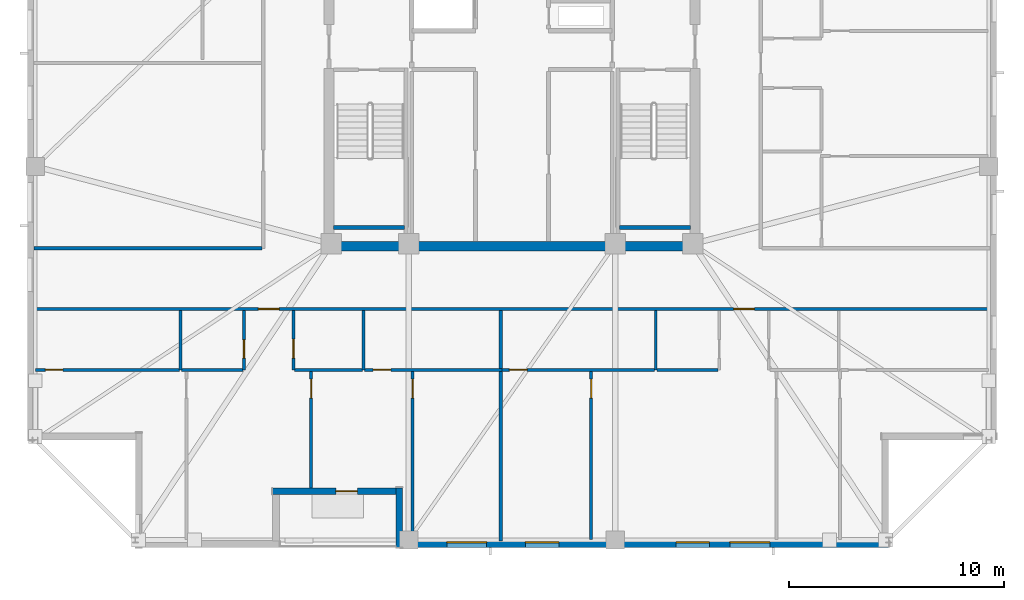
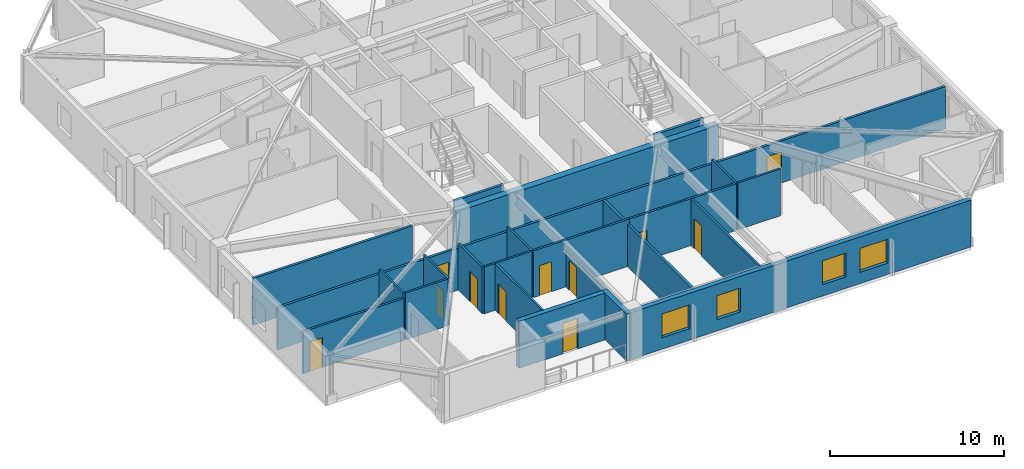
# One storey, part 7 of 15: 23 walls, 11 doors, 4 windows, 15 openings.
"""IFC4 building model written with IfcOpenShell, lengths in metres."""

from ifc_helpers import new_model, si_unit, direction, frame, frame_2d, origin, place, context, subcontext, project, spatial, rectangle, extrude, material, layer, layer_set, type_object, element, fill, save


model = new_model("IFC4")

# Units and contexts
model_context = context("Model", 3, precision=1e-05, world=origin(), true_north=direction((0.0, 1.0)))
body_context = subcontext(model_context, "Body", "Model", "MODEL_VIEW")
ifc_project = project(units=[si_unit("LENGTHUNIT", "METRE"), si_unit("AREAUNIT", "SQUARE_METRE"), si_unit("VOLUMEUNIT", "CUBIC_METRE"), si_unit("PLANEANGLEUNIT", "RADIAN"), si_unit("MASSUNIT", "GRAM", prefix="KILO")], contexts=[model_context])

# Site, building, storey
site_placement = place(None, origin())
site = spatial("IfcSite", under=ifc_project, at=site_placement, CompositionType="ELEMENT")
building_placement = place(site_placement, origin())
building = spatial("IfcBuilding", under=site, at=building_placement, Name="Cairnveth Concourse Tower", CompositionType="ELEMENT")
storey_placement = place(building_placement, frame((0.0, 0.0, 265.5)))
storey = spatial("IfcBuildingStorey", under=building, at=storey_placement, Name="L73", CompositionType="ELEMENT", Elevation=265.5)

# Wall, openings, doors
ifc_material_1 = material(Name="Gypsum Plasterboard Partition", Category="gypsum")
ifc_layer_1 = layer(ifc_material_1, 0.159912109375)
ifc_layer_set_1 = layer_set([ifc_layer_1], Name="Gypsum Plasterboard Partition")
wall_type_1 = type_object("IfcWallType", Name="ACOUSTIC PARTY WALL 180", PredefinedType="PARTITIONING", material=ifc_layer_set_1)
wall_1_placement = place(storey_placement, frame((29.804931640625, 27.577392578125, 0.0), z_axis=(0.0, 0.0, 1.0), x_axis=(1.0, 0.0, 0.0)))
wall_1 = element("IfcWall", 1, at=wall_1_placement, inside=storey, type_object=wall_type_1, Name="Interior Wall IW-L73-034", PredefinedType="PARTITIONING", context=body_context, shape_type="SweptSolid", body=[
    extrude(rectangle(XDim=44.39013671875, YDim=0.159912109375, at=frame_2d((22.195068359375, 0.0))), origin(), (0.0, 0.0, 1.0), 2.9580078125),
])
opening_1_placement = place(wall_1_placement, frame((10.4150390625, 0.0, 0.0)))
opening_1 = element("IfcOpeningElement", 2, at=opening_1_placement, cuts=wall_1, Name="Opening ID10", PredefinedType="OPENING", context=body_context, shape_type="SweptSolid", body=[
    extrude(rectangle(XDim=0.9599609375, YDim=2.179931640625, at=frame_2d((0.47998046875, 1.08984375))), frame((0.0, 0.08984375, 0.0), z_axis=(0.0, -1.0, 0.0), x_axis=(1.0, 0.0, 0.0)), (0.0, 0.0, 1.0), 0.179931640625),
])
opening_2_placement = place(wall_1_placement, frame((32.4951171875, 0.0, 0.0)))
opening_2 = element("IfcOpeningElement", 3, at=opening_2_placement, cuts=wall_1, Name="Opening ID10", PredefinedType="OPENING", context=body_context, shape_type="SweptSolid", body=[
    extrude(rectangle(XDim=0.9599609375, YDim=2.179931640625, at=frame_2d((0.47998046875, 1.08984375))), frame((0.0, 0.08984375, 0.0), z_axis=(0.0, -1.0, 0.0), x_axis=(1.0, 0.0, 0.0)), (0.0, 0.0, 1.0), 0.179931640625),
])
ifc_material_2 = material(Name="Solid Core Hardwood Timber Leaf", Category="wood")
door_type_1 = type_object("IfcDoorType", Name="FLAT ENTRANCE DOOR 960X2150", OperationType="NOTDEFINED", PredefinedType="DOOR", material=ifc_material_2)
door_1_placement = place(opening_1_placement, origin())
door_1 = element("IfcDoor", 4, at=door_1_placement, inside=storey, type_object=door_type_1, Name="Apartment L73S1 Entrance Door", OperationType="SINGLE_SWING_RIGHT", OverallHeight=2.179931640625, OverallWidth=0.9599609375, PredefinedType="DOOR", context=body_context, shape_type="SweptSolid", body=[
    extrude(rectangle(XDim=0.9599609375, YDim=2.179931640625, at=frame_2d((0.47998046875, 1.08984375))), frame((0.0, 0.02490234375, 0.0), z_axis=(0.0, -1.0, 0.0), x_axis=(1.0, 0.0, 0.0)), (0.0, 0.0, 1.0), 0.050048828125),
])
fill(opening_1, door_1)
door_2_placement = place(opening_2_placement, origin())
door_2 = element("IfcDoor", 5, at=door_2_placement, inside=storey, type_object=door_type_1, Name="Apartment L73S2 Entrance Door", OperationType="SINGLE_SWING_RIGHT", OverallHeight=2.179931640625, OverallWidth=0.9599609375, PredefinedType="DOOR", context=body_context, shape_type="SweptSolid", body=[
    extrude(rectangle(XDim=0.9599609375, YDim=2.179931640625, at=frame_2d((0.47998046875, 1.08984375))), frame((0.0, 0.02490234375, 0.0), z_axis=(0.0, -1.0, 0.0), x_axis=(1.0, 0.0, 0.0)), (0.0, 0.0, 1.0), 0.050048828125),
])
fill(opening_2, door_2)

# Walls
wall_2_placement = place(storey_placement, frame((29.804931640625, 30.39990234375, 0.0), z_axis=(0.0, 0.0, 1.0), x_axis=(1.0, 0.0, 0.0)))
element("IfcWall", 6, at=wall_2_placement, inside=storey, type_object=wall_type_1, Name="Interior Wall IW-L73-038", PredefinedType="PARTITIONING", context=body_context, shape_type="SweptSolid", body=[
    extrude(rectangle(XDim=10.580078125, YDim=0.159912109375, at=frame_2d((5.2900390625, 0.0))), origin(), (0.0, 0.0, 1.0), 3.2900390625),
])
wall_3_placement = place(storey_placement, frame((51.47998046875, 16.804931640625, 0.0), z_axis=(0.0, 0.0, 1.0), x_axis=(0.0, 1.0, 0.0)))
element("IfcWall", 7, at=wall_3_placement, inside=storey, type_object=wall_type_1, Name="Interior Wall IW-L73-053", PredefinedType="PARTITIONING", context=body_context, shape_type="SweptSolid", body=[
    extrude(rectangle(XDim=10.70751953125, YDim=0.159912109375, at=frame_2d((5.353759765625, 0.0))), origin(), (0.0, 0.0, 1.0), 2.9580078125),
])
ifc_material_3 = material(Name="Concrete N65 (65 MPa)", Category="concrete")
ifc_layer_2 = layer(ifc_material_3, 0.449951171875)
ifc_layer_set_2 = layer_set([ifc_layer_2], Name="Concrete N65 (65 MPa)")
wall_type_2 = type_object("IfcWallType", Name="CORE SHEAR WALL 450", PredefinedType="SHEAR", material=ifc_layer_set_2)
wall_4_placement = place(storey_placement, frame((43.27490234375, 30.5, 0.0), z_axis=(0.0, 0.0, 1.0), x_axis=(1.0, 0.0, 0.0)))
element("IfcWall", 8, at=wall_4_placement, inside=storey, type_object=wall_type_2, Name="Core South Shear Wall L73", PredefinedType="SHEAR", context=body_context, shape_type="SweptSolid", body=[
    extrude(rectangle(XDim=17.4501953125, YDim=0.449951171875, at=frame_2d((8.72509765625, 0.0))), origin(), (0.0, 0.0, 1.0), 3.2900390625),
])
ifc_material_4 = material(Name="Concrete N50 (50 MPa)", Category="concrete")
ifc_layer_3 = layer(ifc_material_4, 0.179931640625)
ifc_layer_set_3 = layer_set([ifc_layer_3], Name="Concrete N50 (50 MPa)")
wall_type_3 = type_object("IfcWallType", Name="FIRE SHAFT WALL 180", PredefinedType="SOLIDWALL", material=ifc_layer_set_3)
for number, where, z_axis, x_axis, name in (
    (9, (43.715087890625, 31.360107421875, 0.0), (0.0, 0.0, 1.0), (1.0, 0.0, 0.0), "Stair ST-1 Shaft Wall FAR L73"),
    (10, (57.0048828125, 31.360107421875, 0.0), (0.0, 0.0, 1.0), (1.0, 0.0, 0.0), "Stair ST-2 Shaft Wall FAR L73"),
):
    element("IfcWall", number, at=place(storey_placement, frame(where, z_axis=z_axis, x_axis=x_axis)), inside=storey, type_object=wall_type_3, Name=name, PredefinedType="SOLIDWALL", context=body_context, shape_type="SweptSolid", body=[
        extrude(rectangle(XDim=3.280029296875, YDim=0.179931640625, at=frame_2d((1.64013671875, 0.0))), origin(), (0.0, 0.0, 1.0), 3.2900390625),
    ])

# Wall, opening, door
ifc_layer_4 = layer(ifc_material_1, 0.139892578125)
ifc_layer_set_4 = layer_set([ifc_layer_4], Name="Gypsum Plasterboard Partition")
wall_type_4 = type_object("IfcWallType", Name="GYPSUM STUD PARTITION 140", PredefinedType="PARTITIONING", material=ifc_layer_set_4)
wall_5_placement = place(storey_placement, frame((29.8701171875, 24.74755859375, 0.0), z_axis=(0.0, 0.0, 1.0), x_axis=(1.0, 0.0, 0.0)))
wall_5 = element("IfcWall", 11, at=wall_5_placement, inside=storey, type_object=wall_type_4, Name="Interior Wall IW-L73-049", PredefinedType="PARTITIONING", context=body_context, shape_type="SweptSolid", body=[
    extrude(rectangle(XDim=6.679931640625, YDim=0.139892578125, at=frame_2d((3.33984375, 0.0))), origin(), (0.0, 0.0, 1.0), 2.9580078125),
])
opening_3_placement = place(wall_5_placement, frame((0.449951171875, 0.0, 0.0)))
opening_3 = element("IfcOpeningElement", 12, at=opening_3_placement, cuts=wall_5, Name="Opening ID22", PredefinedType="OPENING", context=body_context, shape_type="SweptSolid", body=[
    extrude(rectangle(XDim=0.820068359375, YDim=2.10009765625, at=frame_2d((0.41015625, 1.050048828125))), frame((0.0, 0.079833984375, 0.0), z_axis=(0.0, -1.0, 0.0), x_axis=(1.0, 0.0, 0.0)), (0.0, 0.0, 1.0), 0.159912109375),
])
door_type_2 = type_object("IfcDoorType", Name="INTERIOR WC DOOR 820X2100", OperationType="NOTDEFINED", PredefinedType="DOOR", material=ifc_material_2)
door_3_placement = place(opening_3_placement, origin())
door_3 = element("IfcDoor", 13, at=door_3_placement, inside=storey, type_object=door_type_2, Name="L73S1 Dressing Door", OperationType="SINGLE_SWING_LEFT", OverallHeight=2.10009765625, OverallWidth=0.820068359375, PredefinedType="DOOR", context=body_context, shape_type="SweptSolid", body=[
    extrude(rectangle(XDim=0.820068359375, YDim=2.10009765625, at=frame_2d((0.41015625, 1.050048828125))), frame((0.0, 0.02490234375, 0.0), z_axis=(0.0, -1.0, 0.0), x_axis=(1.0, 0.0, 0.0)), (0.0, 0.0, 1.0), 0.050048828125),
])
fill(opening_3, door_3)

wall_6_placement = place(storey_placement, frame((47.3798828125, 16.8798828125, 0.0), z_axis=(0.0, 0.0, 1.0), x_axis=(0.0, 1.0, 0.0)))
wall_6 = element("IfcWall", 14, at=wall_6_placement, inside=storey, type_object=wall_type_4, Name="Interior Wall IW-L73-050", PredefinedType="PARTITIONING", context=body_context, shape_type="SweptSolid", body=[
    extrude(rectangle(XDim=7.90771484375, YDim=0.139892578125, at=frame_2d((3.953857421875, 0.0))), origin(), (0.0, 0.0, 1.0), 2.572998046875),
])
opening_4_placement = place(wall_6_placement, frame((6.5576171875, 0.0, 0.0)))
opening_4 = element("IfcOpeningElement", 15, at=opening_4_placement, cuts=wall_6, Name="Opening ID18", PredefinedType="OPENING", context=body_context, shape_type="SweptSolid", body=[
    extrude(rectangle(XDim=0.8798828125, YDim=2.10009765625, at=frame_2d((0.43994140625, 1.050048828125))), frame((0.0, 0.079833984375, 0.0), z_axis=(0.0, -1.0, 0.0), x_axis=(1.0, 0.0, 0.0)), (0.0, 0.0, 1.0), 0.159912109375),
])
door_type_3 = type_object("IfcDoorType", Name="INTERIOR SINGLE DOOR 880X2100", OperationType="NOTDEFINED", PredefinedType="DOOR", material=ifc_material_2)
door_4_placement = place(opening_4_placement, origin())
door_4 = element("IfcDoor", 16, at=door_4_placement, inside=storey, type_object=door_type_3, Name="L73S1 Bedroom 2 Door", OperationType="SINGLE_SWING_RIGHT", OverallHeight=2.10009765625, OverallWidth=0.8798828125, PredefinedType="DOOR", context=body_context, shape_type="SweptSolid", body=[
    extrude(rectangle(XDim=0.8798828125, YDim=2.10009765625, at=frame_2d((0.43994140625, 1.050048828125))), frame((0.0, 0.02490234375, 0.0), z_axis=(0.0, -1.0, 0.0), x_axis=(1.0, 0.0, 0.0)), (0.0, 0.0, 1.0), 0.050048828125),
])
fill(opening_4, door_4)

wall_7_placement = place(storey_placement, frame((45.14990234375, 24.74755859375, 0.0), z_axis=(0.0, 0.0, 1.0), x_axis=(1.0, 0.0, 0.0)))
wall_7 = element("IfcWall", 17, at=wall_7_placement, inside=storey, type_object=wall_type_4, Name="Interior Wall IW-L73-051", PredefinedType="PARTITIONING", context=body_context, shape_type="SweptSolid", body=[
    extrude(rectangle(XDim=6.380126953125, YDim=0.139892578125, at=frame_2d((3.18994140625, 0.0))), origin(), (0.0, 0.0, 1.0), 3.2900390625),
])
opening_5_placement = place(wall_7_placement, frame((0.39990234375, 0.0, 0.0)))
opening_5 = element("IfcOpeningElement", 18, at=opening_5_placement, cuts=wall_7, Name="Opening ID22", PredefinedType="OPENING", context=body_context, shape_type="SweptSolid", body=[
    extrude(rectangle(XDim=0.820068359375, YDim=2.10009765625, at=frame_2d((0.41015625, 1.050048828125))), frame((0.0, 0.079833984375, 0.0), z_axis=(0.0, -1.0, 0.0), x_axis=(1.0, 0.0, 0.0)), (0.0, 0.0, 1.0), 0.159912109375),
])
door_5_placement = place(opening_5_placement, origin())
door_5 = element("IfcDoor", 19, at=door_5_placement, inside=storey, type_object=door_type_2, Name="L73S1 Utility Door", OperationType="SINGLE_SWING_LEFT", OverallHeight=2.10009765625, OverallWidth=0.820068359375, PredefinedType="DOOR", context=body_context, shape_type="SweptSolid", body=[
    extrude(rectangle(XDim=0.820068359375, YDim=2.10009765625, at=frame_2d((0.41015625, 1.050048828125))), frame((0.0, 0.02490234375, 0.0), z_axis=(0.0, -1.0, 0.0), x_axis=(1.0, 0.0, 0.0)), (0.0, 0.0, 1.0), 0.050048828125),
])
fill(opening_5, door_5)

wall_8_placement = place(storey_placement, frame((42.669921875, 19.2548828125, 0.0), z_axis=(0.0, 0.0, 1.0), x_axis=(0.0, 1.0, 0.0)))
wall_8 = element("IfcWall", 20, at=wall_8_placement, inside=storey, type_object=wall_type_4, Name="Interior Wall IW-L73-052", PredefinedType="PARTITIONING", context=body_context, shape_type="SweptSolid", body=[
    extrude(rectangle(XDim=5.442626953125, YDim=0.139892578125, at=frame_2d((2.72119140625, 0.0))), origin(), (0.0, 0.0, 1.0), 3.2900390625),
])
opening_6_placement = place(wall_8_placement, frame((4.1826171875, 0.0, 0.0)))
opening_6 = element("IfcOpeningElement", 21, at=opening_6_placement, cuts=wall_8, Name="Opening ID18", PredefinedType="OPENING", context=body_context, shape_type="SweptSolid", body=[
    extrude(rectangle(XDim=0.8798828125, YDim=2.10009765625, at=frame_2d((0.43994140625, 1.050048828125))), frame((0.0, 0.079833984375, 0.0), z_axis=(0.0, -1.0, 0.0), x_axis=(1.0, 0.0, 0.0)), (0.0, 0.0, 1.0), 0.159912109375),
])
door_6_placement = place(opening_6_placement, origin())
door_6 = element("IfcDoor", 22, at=door_6_placement, inside=storey, type_object=door_type_3, Name="L73S1 Media Lounge Door", OperationType="SINGLE_SWING_LEFT", OverallHeight=2.10009765625, OverallWidth=0.8798828125, PredefinedType="DOOR", context=body_context, shape_type="SweptSolid", body=[
    extrude(rectangle(XDim=0.8798828125, YDim=2.10009765625, at=frame_2d((0.43994140625, 1.050048828125))), frame((0.0, 0.02490234375, 0.0), z_axis=(0.0, -1.0, 0.0), x_axis=(1.0, 0.0, 0.0)), (0.0, 0.0, 1.0), 0.050048828125),
])
fill(opening_6, door_6)

wall_9_placement = place(storey_placement, frame((55.679931640625, 16.8798828125, 0.0), z_axis=(0.0, 0.0, 1.0), x_axis=(0.0, 1.0, 0.0)))
wall_9 = element("IfcWall", 23, at=wall_9_placement, inside=storey, type_object=wall_type_4, Name="Interior Wall IW-L73-060", PredefinedType="PARTITIONING", context=body_context, shape_type="SweptSolid", body=[
    extrude(rectangle(XDim=7.90771484375, YDim=0.139892578125, at=frame_2d((3.953857421875, 0.0))), origin(), (0.0, 0.0, 1.0), 3.2900390625),
])
opening_7_placement = place(wall_9_placement, frame((6.5576171875, 0.0, 0.0)))
opening_7 = element("IfcOpeningElement", 24, at=opening_7_placement, cuts=wall_9, Name="Opening ID18", PredefinedType="OPENING", context=body_context, shape_type="SweptSolid", body=[
    extrude(rectangle(XDim=0.8798828125, YDim=2.10009765625, at=frame_2d((0.43994140625, 1.050048828125))), frame((0.0, 0.079833984375, 0.0), z_axis=(0.0, -1.0, 0.0), x_axis=(1.0, 0.0, 0.0)), (0.0, 0.0, 1.0), 0.159912109375),
])
door_7_placement = place(opening_7_placement, origin())
door_7 = element("IfcDoor", 25, at=door_7_placement, inside=storey, type_object=door_type_3, Name="L73S2 Master Bedroom Door", OperationType="SINGLE_SWING_RIGHT", OverallHeight=2.10009765625, OverallWidth=0.8798828125, PredefinedType="DOOR", context=body_context, shape_type="SweptSolid", body=[
    extrude(rectangle(XDim=0.8798828125, YDim=2.10009765625, at=frame_2d((0.43994140625, 1.050048828125))), frame((0.0, 0.02490234375, 0.0), z_axis=(0.0, -1.0, 0.0), x_axis=(1.0, 0.0, 0.0)), (0.0, 0.0, 1.0), 0.050048828125),
])
fill(opening_7, door_7)

wall_10_placement = place(storey_placement, frame((51.544921875, 24.74755859375, 0.0), z_axis=(0.0, 0.0, 1.0), x_axis=(1.0, 0.0, 0.0)))
wall_10 = element("IfcWall", 26, at=wall_10_placement, inside=storey, type_object=wall_type_4, Name="Interior Wall IW-L73-061", PredefinedType="PARTITIONING", context=body_context, shape_type="SweptSolid", body=[
    extrude(rectangle(XDim=7.0849609375, YDim=0.139892578125, at=frame_2d((3.54248046875, 0.0))), origin(), (0.0, 0.0, 1.0), 3.2900390625),
])
opening_8_placement = place(wall_10_placement, frame((0.3349609375, 0.0, 0.0)))
opening_8 = element("IfcOpeningElement", 27, at=opening_8_placement, cuts=wall_10, Name="Opening ID22", PredefinedType="OPENING", context=body_context, shape_type="SweptSolid", body=[
    extrude(rectangle(XDim=0.820068359375, YDim=2.10009765625, at=frame_2d((0.41015625, 1.050048828125))), frame((0.0, 0.079833984375, 0.0), z_axis=(0.0, -1.0, 0.0), x_axis=(1.0, 0.0, 0.0)), (0.0, 0.0, 1.0), 0.159912109375),
])
door_8_placement = place(opening_8_placement, origin())
door_8 = element("IfcDoor", 28, at=door_8_placement, inside=storey, type_object=door_type_2, Name="L73S2 Dressing Door", OperationType="SINGLE_SWING_LEFT", OverallHeight=2.10009765625, OverallWidth=0.820068359375, PredefinedType="DOOR", context=body_context, shape_type="SweptSolid", body=[
    extrude(rectangle(XDim=0.820068359375, YDim=2.10009765625, at=frame_2d((0.41015625, 1.050048828125))), frame((0.0, 0.02490234375, 0.0), z_axis=(0.0, -1.0, 0.0), x_axis=(1.0, 0.0, 0.0)), (0.0, 0.0, 1.0), 0.050048828125),
])
fill(opening_8, door_8)

# Wall
ifc_layer_5 = layer(ifc_material_1, 0.1298828125)
ifc_layer_set_5 = layer_set([ifc_layer_5], Name="Gypsum Plasterboard Partition")
wall_type_5 = type_object("IfcWallType", Name="WET AREA PARTITION 140", PredefinedType="PLUMBINGWALL", material=ifc_layer_set_5)
wall_11_placement = place(storey_placement, frame((36.60009765625, 24.74755859375, 0.0), z_axis=(0.0, 0.0, 1.0), x_axis=(0.0, 1.0, 0.0)))
element("IfcWall", 29, at=wall_11_placement, inside=storey, type_object=wall_type_5, Name="Interior Wall IW-L73-042", PredefinedType="PLUMBINGWALL", context=body_context, shape_type="SweptSolid", body=[
    extrude(rectangle(XDim=2.75, YDim=0.1298828125, at=frame_2d((1.375, 0.0))), origin(), (0.0, 0.0, 1.0), 3.2900390625),
])

# Wall, opening, door
wall_12_placement = place(storey_placement, frame((39.550048828125, 24.74755859375, 0.0), z_axis=(0.0, 0.0, 1.0), x_axis=(0.0, 1.0, 0.0)))
wall_12 = element("IfcWall", 30, at=wall_12_placement, inside=storey, type_object=wall_type_5, Name="Interior Wall IW-L73-043", PredefinedType="PLUMBINGWALL", context=body_context, shape_type="SweptSolid", body=[
    extrude(rectangle(XDim=2.75, YDim=0.1298828125, at=frame_2d((1.375, 0.0))), origin(), (0.0, 0.0, 1.0), 3.2900390625),
])
opening_9_placement = place(wall_12_placement, frame((0.550048828125, 0.0, 0.0)))
opening_9 = element("IfcOpeningElement", 31, at=opening_9_placement, cuts=wall_12, Name="Opening ID21", PredefinedType="OPENING", context=body_context, shape_type="SweptSolid", body=[
    extrude(rectangle(XDim=0.85009765625, YDim=2.080078125, at=frame_2d((0.425048828125, 1.0400390625))), frame((0.0, 0.074951171875, 0.0), z_axis=(0.0, -1.0, 0.0), x_axis=(1.0, 0.0, 0.0)), (0.0, 0.0, 1.0), 0.14990234375),
])
door_type_4 = type_object("IfcDoorType", Name="INTERIOR WC DOOR 850X2100", OperationType="NOTDEFINED", PredefinedType="DOOR", material=ifc_material_2)
door_9_placement = place(opening_9_placement, origin())
door_9 = element("IfcDoor", 32, at=door_9_placement, inside=storey, type_object=door_type_4, Name="L73S1 Bathroom Door", OperationType="SINGLE_SWING_LEFT", OverallHeight=2.080078125, OverallWidth=0.85009765625, PredefinedType="DOOR", context=body_context, shape_type="SweptSolid", body=[
    extrude(rectangle(XDim=0.85009765625, YDim=2.080078125, at=frame_2d((0.425048828125, 1.0400390625))), frame((0.0, 0.02490234375, 0.0), z_axis=(0.0, -1.0, 0.0), x_axis=(1.0, 0.0, 0.0)), (0.0, 0.0, 1.0), 0.050048828125),
])
fill(opening_9, door_9)

# Walls
wall_13_placement = place(storey_placement, frame((36.64990234375, 24.74755859375, 0.0), z_axis=(0.0, 0.0, 1.0), x_axis=(1.0, 0.0, 0.0)))
element("IfcWall", 33, at=wall_13_placement, inside=storey, type_object=wall_type_5, Name="Interior Wall IW-L73-044", PredefinedType="PLUMBINGWALL", context=body_context, shape_type="SweptSolid", body=[
    extrude(rectangle(XDim=2.85009765625, YDim=0.1298828125, at=frame_2d((1.425048828125, 0.0))), origin(), (0.0, 0.0, 1.0), 3.2900390625),
])
wall_14_placement = place(storey_placement, frame((45.10009765625, 24.74755859375, 0.0), z_axis=(0.0, 0.0, 1.0), x_axis=(0.0, 1.0, 0.0)))
element("IfcWall", 34, at=wall_14_placement, inside=storey, type_object=wall_type_5, Name="Interior Wall IW-L73-045", PredefinedType="PLUMBINGWALL", context=body_context, shape_type="SweptSolid", body=[
    extrude(rectangle(XDim=2.75, YDim=0.1298828125, at=frame_2d((1.375, 0.0))), origin(), (0.0, 0.0, 1.0), 3.2900390625),
])

# Wall, opening, door
wall_15_placement = place(storey_placement, frame((41.85009765625, 24.74755859375, 0.0), z_axis=(0.0, 0.0, 1.0), x_axis=(0.0, 1.0, 0.0)))
wall_15 = element("IfcWall", 35, at=wall_15_placement, inside=storey, type_object=wall_type_5, Name="Interior Wall IW-L73-046", PredefinedType="PLUMBINGWALL", context=body_context, shape_type="SweptSolid", body=[
    extrude(rectangle(XDim=2.75, YDim=0.1298828125, at=frame_2d((1.375, 0.0))), origin(), (0.0, 0.0, 1.0), 3.2900390625),
])
opening_10_placement = place(wall_15_placement, frame((0.550048828125, 0.0, 0.0)))
opening_10 = element("IfcOpeningElement", 36, at=opening_10_placement, cuts=wall_15, Name="Opening ID18", PredefinedType="OPENING", context=body_context, shape_type="SweptSolid", body=[
    extrude(rectangle(XDim=0.8798828125, YDim=2.10009765625, at=frame_2d((0.43994140625, 1.050048828125))), frame((0.0, 0.074951171875, 0.0), z_axis=(0.0, -1.0, 0.0), x_axis=(1.0, 0.0, 0.0)), (0.0, 0.0, 1.0), 0.14990234375),
])
door_10_placement = place(opening_10_placement, origin())
door_10 = element("IfcDoor", 37, at=door_10_placement, inside=storey, type_object=door_type_3, Name="L73S1 Kitchen Door", OperationType="SINGLE_SWING_RIGHT", OverallHeight=2.10009765625, OverallWidth=0.8798828125, PredefinedType="DOOR", context=body_context, shape_type="SweptSolid", body=[
    extrude(rectangle(XDim=0.8798828125, YDim=2.10009765625, at=frame_2d((0.43994140625, 1.050048828125))), frame((0.0, 0.02490234375, 0.0), z_axis=(0.0, -1.0, 0.0), x_axis=(1.0, 0.0, 0.0)), (0.0, 0.0, 1.0), 0.050048828125),
])
fill(opening_10, door_10)

# Walls
wall_16_placement = place(storey_placement, frame((41.89990234375, 24.74755859375, 0.0), z_axis=(0.0, 0.0, 1.0), x_axis=(1.0, 0.0, 0.0)))
element("IfcWall", 38, at=wall_16_placement, inside=storey, type_object=wall_type_5, Name="Interior Wall IW-L73-047", PredefinedType="PLUMBINGWALL", context=body_context, shape_type="SweptSolid", body=[
    extrude(rectangle(XDim=3.150146484375, YDim=0.1298828125, at=frame_2d((1.5751953125, 0.0))), origin(), (0.0, 0.0, 1.0), 3.2900390625),
])
wall_17_placement = place(storey_placement, frame((58.679931640625, 24.74755859375, 0.0), z_axis=(0.0, 0.0, 1.0), x_axis=(0.0, 1.0, 0.0)))
element("IfcWall", 39, at=wall_17_placement, inside=storey, type_object=wall_type_5, Name="Interior Wall IW-L73-054", PredefinedType="PLUMBINGWALL", context=body_context, shape_type="SweptSolid", body=[
    extrude(rectangle(XDim=2.75, YDim=0.1298828125, at=frame_2d((1.375, 0.0))), origin(), (0.0, 0.0, 1.0), 3.2900390625),
])
wall_18_placement = place(storey_placement, frame((58.72998046875, 24.74755859375, 0.0), z_axis=(0.0, 0.0, 1.0), x_axis=(1.0, 0.0, 0.0)))
element("IfcWall", 40, at=wall_18_placement, inside=storey, type_object=wall_type_5, Name="Interior Wall IW-L73-056", PredefinedType="PLUMBINGWALL", context=body_context, shape_type="SweptSolid", body=[
    extrude(rectangle(XDim=2.85009765625, YDim=0.1298828125, at=frame_2d((1.425048828125, 0.0))), origin(), (0.0, 0.0, 1.0), 3.2900390625),
])

# Wall, openings, windows
ifc_material_5 = material(Name="Melbourne Buff Fired Clay Brick Masonry", Category="masonry")
ifc_layer_6 = layer(ifc_material_5, 0.320068359375)
ifc_layer_set_6 = layer_set([ifc_layer_6], Name="Melbourne Buff Fired Clay Brick Masonry")
wall_type_6 = type_object("IfcWallType", Name="ZONE 3 BRICK PIER SPANDREL WALL 320", PredefinedType="SOLIDWALL", material=ifc_layer_set_6)
wall_19_placement = place(storey_placement, frame((69.5, 16.659912109375, 0.0), z_axis=(0.0, 0.0, 1.0), x_axis=(-1.0, 0.0, 0.0)))
wall_19 = element("IfcWall", 41, at=wall_19_placement, inside=storey, type_object=wall_type_6, Name="Exterior Wall EW-L73-S12", PredefinedType="SOLIDWALL", context=body_context, shape_type="SweptSolid", body=[
    extrude(rectangle(XDim=22.60205078125, YDim=0.320068359375, at=frame_2d((11.301025390625, 0.0))), origin(), (0.0, 0.0, 1.0), 3.2900390625),
])
opening_11_placement = place(wall_19_placement, frame((5.525146484375, 0.0, 0.800048828125)))
opening_11 = element("IfcOpeningElement", 42, at=opening_11_placement, cuts=wall_19, Name="Opening W08", PredefinedType="OPENING", context=body_context, shape_type="SweptSolid", body=[
    extrude(rectangle(XDim=1.85009765625, YDim=1.677978515625, at=frame_2d((0.925048828125, 0.8388671875))), frame((0.0, 0.169921875, 0.0), z_axis=(0.0, -1.0, 0.0), x_axis=(1.0, 0.0, 0.0)), (0.0, 0.0, 1.0), 0.340087890625),
])
opening_12_placement = place(wall_19_placement, frame((8.32568359375, 0.0, 0.800048828125)))
opening_12 = element("IfcOpeningElement", 43, at=opening_12_placement, cuts=wall_19, Name="Opening W07", PredefinedType="OPENING", context=body_context, shape_type="SweptSolid", body=[
    extrude(rectangle(XDim=1.550048828125, YDim=1.677978515625, at=frame_2d((0.77490234375, 0.8388671875))), frame((0.0, 0.169921875, 0.0), z_axis=(0.0, -1.0, 0.0), x_axis=(1.0, 0.0, 0.0)), (0.0, 0.0, 1.0), 0.340087890625),
])
opening_13_placement = place(wall_19_placement, frame((15.326416015625, 0.0, 0.800048828125)))
opening_13 = element("IfcOpeningElement", 44, at=opening_13_placement, cuts=wall_19, Name="Opening W07", PredefinedType="OPENING", context=body_context, shape_type="SweptSolid", body=[
    extrude(rectangle(XDim=1.550048828125, YDim=1.677978515625, at=frame_2d((0.77490234375, 0.8388671875))), frame((0.0, 0.169921875, 0.0), z_axis=(0.0, -1.0, 0.0), x_axis=(1.0, 0.0, 0.0)), (0.0, 0.0, 1.0), 0.340087890625),
])
opening_14_placement = place(wall_19_placement, frame((18.6767578125, 0.0, 0.800048828125)))
opening_14 = element("IfcOpeningElement", 45, at=opening_14_placement, cuts=wall_19, Name="Opening W08", PredefinedType="OPENING", context=body_context, shape_type="SweptSolid", body=[
    extrude(rectangle(XDim=1.85009765625, YDim=1.677978515625, at=frame_2d((0.925048828125, 0.8388671875))), frame((0.0, 0.169921875, 0.0), z_axis=(0.0, -1.0, 0.0), x_axis=(1.0, 0.0, 0.0)), (0.0, 0.0, 1.0), 0.340087890625),
])
ifc_material_6 = material(Name="Double Glazed Low-E Clear Glass", Category="glass")
window_type_1 = type_object("IfcWindowType", Name="DEEP-SET APARTMENT LIVING WINDOW 1850X1850", PartitioningType="DOUBLE_PANEL_VERTICAL", PredefinedType="WINDOW", material=ifc_material_6)
window_1_placement = place(opening_11_placement, origin())
window_1 = element("IfcWindow", 46, at=window_1_placement, inside=storey, type_object=window_type_1, Name="Gothic Lancet Window L73-12-1", OverallHeight=1.677978515625, OverallWidth=1.85009765625, PartitioningType="SINGLE_PANEL", PredefinedType="WINDOW", context=body_context, shape_type="SweptSolid", body=[
    extrude(rectangle(XDim=1.85009765625, YDim=1.677978515625, at=frame_2d((0.925048828125, 0.8388671875))), frame((0.0, -0.050048828125, 0.0), z_axis=(0.0, -1.0, 0.0), x_axis=(1.0, 0.0, 0.0)), (0.0, 0.0, 1.0), 0.06005859375),
])
fill(opening_11, window_1)
window_2_placement = place(opening_14_placement, origin())
window_2 = element("IfcWindow", 47, at=window_2_placement, inside=storey, type_object=window_type_1, Name="Gothic Lancet Window L73-12-5", OverallHeight=1.677978515625, OverallWidth=1.85009765625, PartitioningType="SINGLE_PANEL", PredefinedType="WINDOW", context=body_context, shape_type="SweptSolid", body=[
    extrude(rectangle(XDim=1.85009765625, YDim=1.677978515625, at=frame_2d((0.925048828125, 0.8388671875))), frame((0.0, -0.050048828125, 0.0), z_axis=(0.0, -1.0, 0.0), x_axis=(1.0, 0.0, 0.0)), (0.0, 0.0, 1.0), 0.06005859375),
])
fill(opening_14, window_2)
window_type_2 = type_object("IfcWindowType", Name="DEEP-SET APARTMENT WINDOW 1550X1800", PartitioningType="DOUBLE_PANEL_VERTICAL", PredefinedType="WINDOW", material=ifc_material_6)
window_3_placement = place(opening_12_placement, origin())
window_3 = element("IfcWindow", 48, at=window_3_placement, inside=storey, type_object=window_type_2, Name="Gothic Lancet Window L73-12-2", OverallHeight=1.677978515625, OverallWidth=1.550048828125, PartitioningType="SINGLE_PANEL", PredefinedType="WINDOW", context=body_context, shape_type="SweptSolid", body=[
    extrude(rectangle(XDim=1.550048828125, YDim=1.677978515625, at=frame_2d((0.77490234375, 0.8388671875))), frame((0.0, -0.050048828125, 0.0), z_axis=(0.0, -1.0, 0.0), x_axis=(1.0, 0.0, 0.0)), (0.0, 0.0, 1.0), 0.06005859375),
])
fill(opening_12, window_3)
window_4_placement = place(opening_13_placement, origin())
window_4 = element("IfcWindow", 49, at=window_4_placement, inside=storey, type_object=window_type_2, Name="Gothic Lancet Window L73-12-4", OverallHeight=1.677978515625, OverallWidth=1.550048828125, PartitioningType="SINGLE_PANEL", PredefinedType="WINDOW", context=body_context, shape_type="SweptSolid", body=[
    extrude(rectangle(XDim=1.550048828125, YDim=1.677978515625, at=frame_2d((0.77490234375, 0.8388671875))), frame((0.0, -0.050048828125, 0.0), z_axis=(0.0, -1.0, 0.0), x_axis=(1.0, 0.0, 0.0)), (0.0, 0.0, 1.0), 0.06005859375),
])
fill(opening_13, window_4)

# Wall
wall_20_placement = place(storey_placement, frame((46.760009765625, 16.5, 0.0), z_axis=(0.0, 0.0, 1.0), x_axis=(0.0, 1.0, 0.0)))
element("IfcWall", 50, at=wall_20_placement, inside=storey, type_object=wall_type_6, Name="Exterior Wall EW-L73-S13", PredefinedType="SOLIDWALL", context=body_context, shape_type="SweptSolid", body=[
    extrude(rectangle(XDim=2.77001953125, YDim=0.320068359375, at=frame_2d((1.385009765625, 0.0))), origin(), (0.0, 0.0, 1.0), 3.2900390625),
])

# Wall, opening, door
wall_21_placement = place(storey_placement, frame((46.6220703125, 19.110107421875, 0.0), z_axis=(0.0, 0.0, 1.0), x_axis=(-1.0, 0.0, 0.0)))
wall_21 = element("IfcWall", 51, at=wall_21_placement, inside=storey, type_object=wall_type_6, Name="Exterior Wall EW-L73-S14", PredefinedType="SOLIDWALL", context=body_context, shape_type="SweptSolid", body=[
    extrude(rectangle(XDim=5.7421875, YDim=0.320068359375, at=frame_2d((2.87109375, 0.0))), origin(), (0.0, 0.0, 1.0), 3.2900390625),
])
opening_15_placement = place(wall_21_placement, frame((1.801025390625, 0.0, 0.0)))
opening_15 = element("IfcOpeningElement", 52, at=opening_15_placement, cuts=wall_21, Name="Opening ED4", PredefinedType="OPENING", context=body_context, shape_type="SweptSolid", body=[
    extrude(rectangle(XDim=1.0, YDim=2.14990234375, at=frame_2d((0.5, 1.074951171875))), frame((0.0, 0.169921875, 0.0), z_axis=(0.0, -1.0, 0.0), x_axis=(1.0, 0.0, 0.0)), (0.0, 0.0, 1.0), 0.340087890625),
])
ifc_material_7 = material(Name="Architectural Bronze Anodised Aluminium 6063-T6", Category="aluminium")
door_type_5 = type_object("IfcDoorType", Name="TERRACE GLAZED DOOR 1000X2150", OperationType="NOTDEFINED", PredefinedType="DOOR", material=ifc_material_7)
door_11_placement = place(opening_15_placement, origin())
door_11 = element("IfcDoor", 53, at=door_11_placement, inside=storey, type_object=door_type_5, Name="Spiral Terrace Door L73", OperationType="SINGLE_SWING_RIGHT", OverallHeight=2.14990234375, OverallWidth=1.0, PredefinedType="DOOR", context=body_context, shape_type="SweptSolid", body=[
    extrude(rectangle(XDim=1.0, YDim=2.14990234375, at=frame_2d((0.5, 1.074951171875))), frame((0.0, 0.02490234375, 0.0), z_axis=(0.0, -1.0, 0.0), x_axis=(1.0, 0.0, 0.0)), (0.0, 0.0, 1.0), 0.050048828125),
])
fill(opening_15, door_11)

save(model, "model.ifc")
